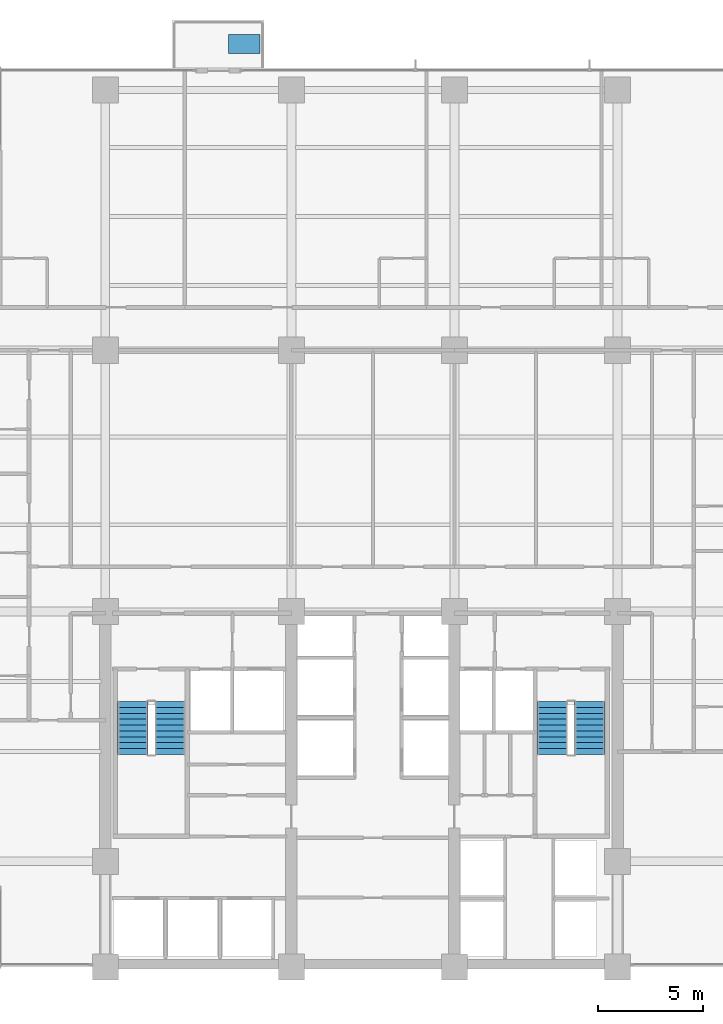
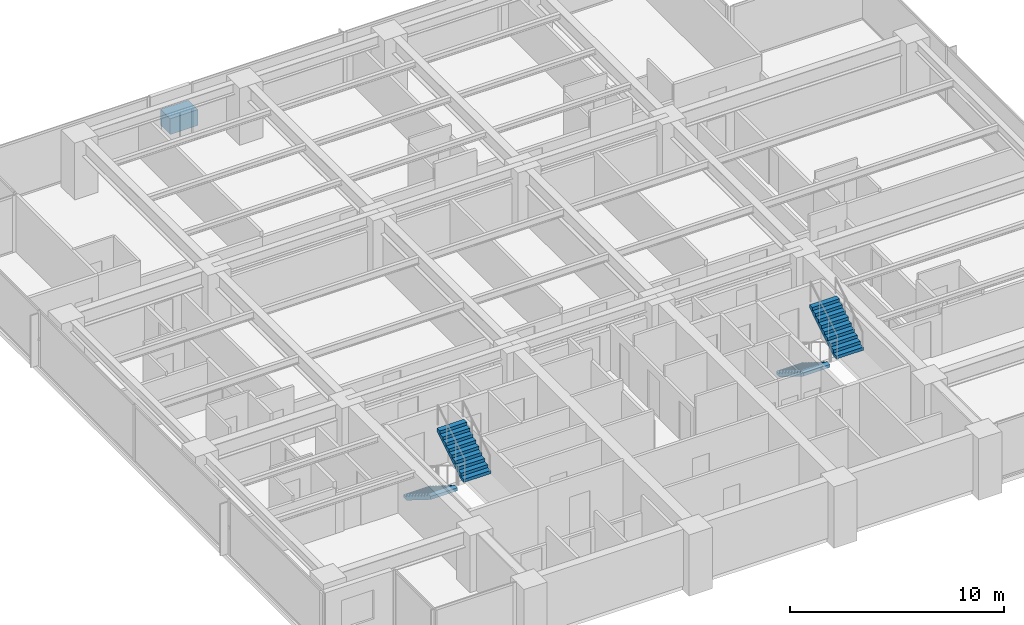
# One storey, part 12 of 17: 4 stair flights, 1 discrete accessory, 2 elements without a shape of their own.
"""IFC4 building model written with IfcOpenShell, lengths in metres."""

from ifc_helpers import new_model, si_unit, direction, frame, origin, place, context, subcontext, project, spatial, polyline, outline, extrude, material, layer, layer_set, type_object, element, aggregate, save


model = new_model("IFC4")

# Units and contexts
model_context = context("Model", 3, precision=1e-05, world=origin(), true_north=direction((0.0, 1.0)))
body_context = subcontext(model_context, "Body", "Model", "MODEL_VIEW")
ifc_project = project(units=[si_unit("LENGTHUNIT", "METRE"), si_unit("AREAUNIT", "SQUARE_METRE"), si_unit("VOLUMEUNIT", "CUBIC_METRE"), si_unit("PLANEANGLEUNIT", "RADIAN"), si_unit("MASSUNIT", "GRAM", prefix="KILO")], contexts=[model_context])

# Site, building, storey
site_placement = place(None, origin())
site = spatial("IfcSite", under=ifc_project, at=site_placement, CompositionType="ELEMENT")
building_placement = place(site_placement, origin())
building = spatial("IfcBuilding", under=site, at=building_placement, Name="Qalmaran Belvedere Hotel", CompositionType="ELEMENT")
storey_placement = place(building_placement, frame((0.0, 0.0, 91.699951171875)))
storey = spatial("IfcBuildingStorey", under=building, at=storey_placement, Name="L22", CompositionType="ELEMENT", Elevation=91.699951171875)

# Stair, stair flights
ifc_material = material(Name="Concrete C40/50", Category="concrete")
stair_type_1 = type_object("IfcStairType", Name="STR-ST-1-1450-R1750", PredefinedType="HALF_TURN_STAIR", material=ifc_material)
stair_1_placement = place(storey_placement, origin())
stair_1 = element("IfcStair", 1, at=stair_1_placement, inside=storey, type_object=stair_type_1, Name="L22 West Core Exit Stair ST-1", PredefinedType="HALF_TURN_STAIR")
ifc_layer_1 = layer(ifc_material, 0.14990234375, Name="Concrete C40/50")
ifc_layer_set_1 = layer_set([ifc_layer_1], Name="Concrete C40/50")
stair_flight_type_1 = type_object("IfcStairFlightType", Name="STF-ST-1-1450-R1750", PredefinedType="STRAIGHT", material=ifc_layer_set_1)
stair_flight_1_placement = place(storey_placement, frame((21.60498046875, 16.18994140625, 0.0), z_axis=(0.0, 0.0, 1.0), x_axis=(0.0, -1.0, 0.0)))
stair_flight_1 = element("IfcStairFlight", 2, at=stair_flight_1_placement, type_object=stair_flight_type_1, Name="ST-1 flight 1", NumberOfRisers=10, NumberOfTreads=9, PredefinedType="STRAIGHT", RiserHeight=0.175, TreadLength=0.28, context=body_context, shape_type="SweptSolid", body=[
    extrude(outline(polyline([(0.0, 0.0), (0.0, 0.175048828125), (0.280029296875, 0.175048828125), (0.280029296875, 0.35009765625), (0.56005859375, 0.35009765625), (0.56005859375, 0.52490234375), (0.840087890625, 0.52490234375), (0.840087890625, 0.699951171875), (1.1201171875, 0.699951171875), (1.1201171875, 0.875), (1.39990234375, 0.875), (1.39990234375, 1.050048828125), (1.679931640625, 1.050048828125), (1.679931640625, 1.22509765625), (1.9599609375, 1.22509765625), (1.9599609375, 1.39990234375), (2.239990234375, 1.39990234375), (2.239990234375, 1.574951171875), (2.52001953125, 1.574951171875), (2.52001953125, 1.75), (2.52001953125, 1.398193359375), (0.28271484375, 0.0), (0.0, 0.0)])), frame((0.0, 0.72509765625, 0.0), z_axis=(0.0, -1.0, 0.0), x_axis=(1.0, 0.0, 0.0)), (0.0, 0.0, 1.0), 1.449951171875),
])
stair_flight_2_placement = place(storey_placement, frame((23.39501953125, 13.669921875, 1.75), z_axis=(0.0, 0.0, 1.0), x_axis=(0.0, 1.0, 0.0)))
stair_flight_2 = element("IfcStairFlight", 3, at=stair_flight_2_placement, type_object=stair_flight_type_1, Name="ST-1 flight 2", NumberOfRisers=10, NumberOfTreads=9, PredefinedType="STRAIGHT", RiserHeight=0.175, TreadLength=0.28, context=body_context, shape_type="SweptSolid", body=[
    extrude(outline(polyline([(0.0, 0.0), (0.0, 0.175048828125), (0.280029296875, 0.175048828125), (0.280029296875, 0.35009765625), (0.56005859375, 0.35009765625), (0.56005859375, 0.52490234375), (0.840087890625, 0.52490234375), (0.840087890625, 0.699951171875), (1.1201171875, 0.699951171875), (1.1201171875, 0.875), (1.39990234375, 0.875), (1.39990234375, 1.050048828125), (1.679931640625, 1.050048828125), (1.679931640625, 1.22509765625), (1.9599609375, 1.22509765625), (1.9599609375, 1.39990234375), (2.239990234375, 1.39990234375), (2.239990234375, 1.574951171875), (2.52001953125, 1.574951171875), (2.52001953125, 1.75), (2.52001953125, 1.398193359375), (0.28271484375, 0.0), (0.0, 0.0)])), frame((0.0, 0.72509765625, 0.0), z_axis=(0.0, -1.0, 0.0), x_axis=(1.0, 0.0, 0.0)), (0.0, 0.0, 1.0), 1.449951171875),
])
aggregate(stair_1, [stair_flight_1, stair_flight_2])

stair_type_2 = type_object("IfcStairType", Name="STR-ST-2-1450-R1750", PredefinedType="HALF_TURN_STAIR", material=ifc_material)
stair_2_placement = place(storey_placement, origin())
stair_2 = element("IfcStair", 4, at=stair_2_placement, inside=storey, type_object=stair_type_2, Name="L22 East Core Exit Stair ST-2", PredefinedType="HALF_TURN_STAIR")
ifc_layer_2 = layer(ifc_material, 0.14990234375, Name="Concrete C40/50")
ifc_layer_set_2 = layer_set([ifc_layer_2], Name="Concrete C40/50")
stair_flight_type_2 = type_object("IfcStairFlightType", Name="STF-ST-2-1450-R1750", PredefinedType="STRAIGHT", material=ifc_layer_set_2)
stair_flight_3_placement = place(storey_placement, frame((41.68505859375, 16.18994140625, 0.0), z_axis=(0.0, 0.0, 1.0), x_axis=(0.0, -1.0, 0.0)))
stair_flight_3 = element("IfcStairFlight", 5, at=stair_flight_3_placement, type_object=stair_flight_type_2, Name="ST-2 flight 1", NumberOfRisers=10, NumberOfTreads=9, PredefinedType="STRAIGHT", RiserHeight=0.175, TreadLength=0.28, context=body_context, shape_type="SweptSolid", body=[
    extrude(outline(polyline([(0.0, 0.0), (0.0, 0.175048828125), (0.280029296875, 0.175048828125), (0.280029296875, 0.35009765625), (0.56005859375, 0.35009765625), (0.56005859375, 0.52490234375), (0.840087890625, 0.52490234375), (0.840087890625, 0.699951171875), (1.1201171875, 0.699951171875), (1.1201171875, 0.875), (1.39990234375, 0.875), (1.39990234375, 1.050048828125), (1.679931640625, 1.050048828125), (1.679931640625, 1.22509765625), (1.9599609375, 1.22509765625), (1.9599609375, 1.39990234375), (2.239990234375, 1.39990234375), (2.239990234375, 1.574951171875), (2.52001953125, 1.574951171875), (2.52001953125, 1.75), (2.52001953125, 1.398193359375), (0.28271484375, 0.0), (0.0, 0.0)])), frame((0.0, 0.72509765625, 0.0), z_axis=(0.0, -1.0, 0.0), x_axis=(1.0, 0.0, 0.0)), (0.0, 0.0, 1.0), 1.449951171875),
])
stair_flight_4_placement = place(storey_placement, frame((43.47509765625, 13.669921875, 1.75), z_axis=(0.0, 0.0, 1.0), x_axis=(0.0, 1.0, 0.0)))
stair_flight_4 = element("IfcStairFlight", 6, at=stair_flight_4_placement, type_object=stair_flight_type_2, Name="ST-2 flight 2", NumberOfRisers=10, NumberOfTreads=9, PredefinedType="STRAIGHT", RiserHeight=0.175, TreadLength=0.28, context=body_context, shape_type="SweptSolid", body=[
    extrude(outline(polyline([(0.0, 0.0), (0.0, 0.175048828125), (0.280029296875, 0.175048828125), (0.280029296875, 0.35009765625), (0.56005859375, 0.35009765625), (0.56005859375, 0.52490234375), (0.840087890625, 0.52490234375), (0.840087890625, 0.699951171875), (1.1201171875, 0.699951171875), (1.1201171875, 0.875), (1.39990234375, 0.875), (1.39990234375, 1.050048828125), (1.679931640625, 1.050048828125), (1.679931640625, 1.22509765625), (1.9599609375, 1.22509765625), (1.9599609375, 1.39990234375), (2.239990234375, 1.39990234375), (2.239990234375, 1.574951171875), (2.52001953125, 1.574951171875), (2.52001953125, 1.75), (2.52001953125, 1.398193359375), (0.28271484375, 0.0), (0.0, 0.0)])), frame((0.0, 0.72509765625, 0.0), z_axis=(0.0, -1.0, 0.0), x_axis=(1.0, 0.0, 0.0)), (0.0, 0.0, 1.0), 1.449951171875),
])
aggregate(stair_2, [stair_flight_3, stair_flight_4])

# Discrete accessory
discrete_accessory_type = type_object("IfcDiscreteAccessoryType", Name="PLN-BAL-1500", PredefinedType="USERDEFINED", material=ifc_material)
discrete_accessory_placement = place(storey_placement, origin())
element("IfcDiscreteAccessory", 7, at=discrete_accessory_placement, inside=storey, type_object=discrete_accessory_type, Name="L22 Sky Tree Planter", ObjectType="PLANTER", PredefinedType="USERDEFINED", context=body_context, shape_type="SweptSolid", body=[
    extrude(outline(polyline([(26.199951171875, 47.199951171875), (27.699951171875, 47.199951171875), (27.699951171875, 48.10009765625), (26.199951171875, 48.10009765625), (26.199951171875, 47.199951171875)])), origin(), (0.0, 0.0, 1.0), 0.900146484375),
])

save(model, "model.ifc")
